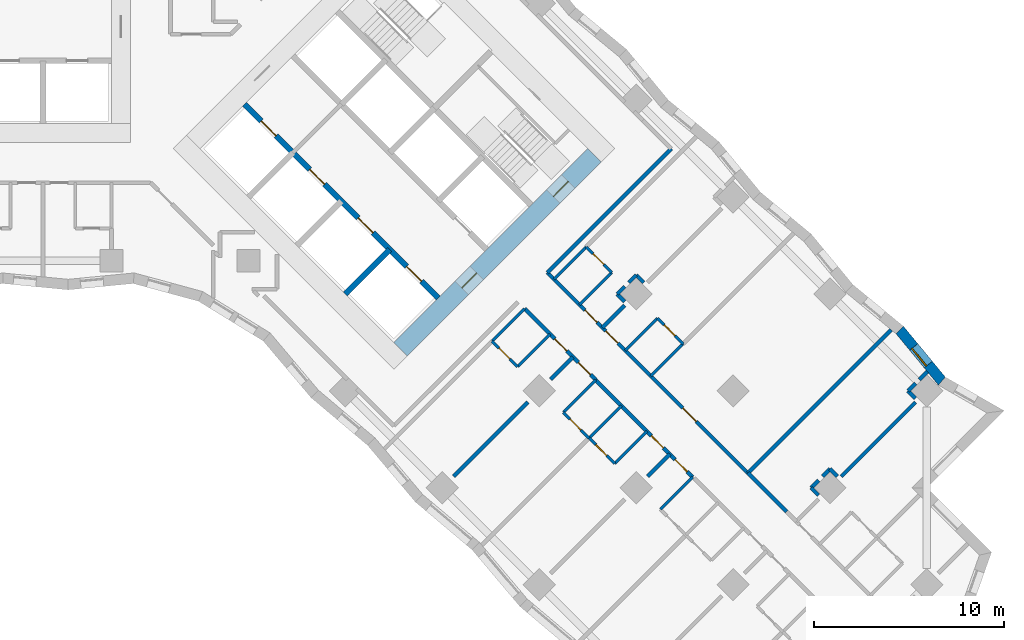
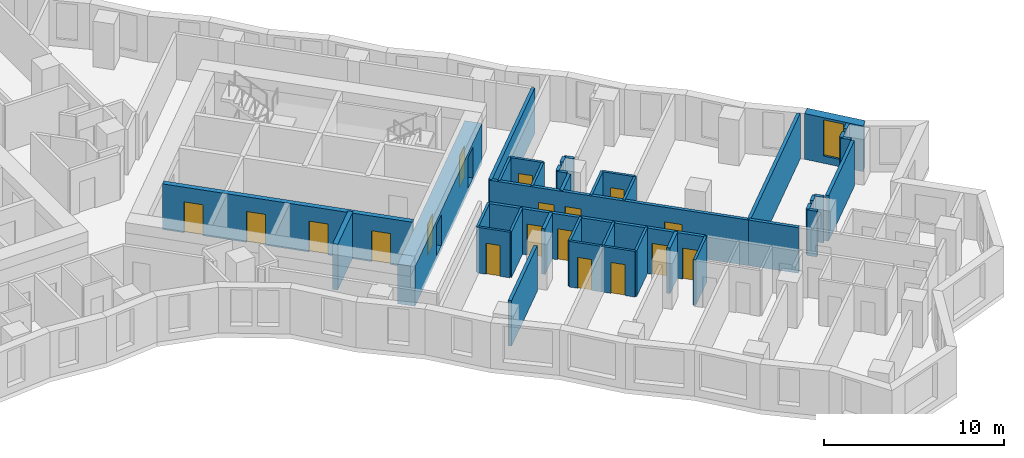
# One storey, part 9 of 13: 41 walls, 18 doors, 1 window, 19 openings.
"""IFC4 building model written with IfcOpenShell, lengths in metres."""

from ifc_helpers import new_model, si_unit, direction, frame, frame_2d, origin, place, context, subcontext, project, spatial, polyline, rectangle, outline, extrude, material, layer, layer_set, type_object, element, fill, save


model = new_model("IFC4")

# Units and contexts
model_context = context("Model", 3, precision=1e-05, world=origin(), true_north=direction((0.0, 1.0)))
body_context = subcontext(model_context, "Body", "Model", "MODEL_VIEW")
ifc_project = project(units=[si_unit("LENGTHUNIT", "METRE"), si_unit("AREAUNIT", "SQUARE_METRE"), si_unit("VOLUMEUNIT", "CUBIC_METRE"), si_unit("PLANEANGLEUNIT", "RADIAN"), si_unit("MASSUNIT", "GRAM", prefix="KILO")], contexts=[model_context])

# Site, building, storey
site_placement = place(None, origin())
site = spatial("IfcSite", under=ifc_project, at=site_placement, CompositionType="ELEMENT")
building_placement = place(site_placement, origin())
building = spatial("IfcBuilding", under=site, at=building_placement, Name="Windrow Commons", CompositionType="ELEMENT")
storey_placement = place(building_placement, frame((0.0, 0.0, 30.4)))
storey = spatial("IfcBuildingStorey", under=building, at=storey_placement, Name="L07", CompositionType="ELEMENT", Elevation=30.4)

# Wall, opening, window
ifc_material_1 = material(Name="Brick masonry, red clay brick", Category="masonry")
ifc_layer_1 = layer(ifc_material_1, 0.55)
ifc_layer_set_1 = layer_set([ifc_layer_1], Name="Brick facade wall 550")
wall_type_1 = type_object("IfcWallType", Name="Brick facade wall 550", PredefinedType="SOLIDWALL", material=ifc_layer_set_1)
wall_1_placement = place(storey_placement, frame((115.6265, 36.8767, 0.0), z_axis=(0.0, 0.0, 1.0), x_axis=(-0.6361415501, 0.7715723739, 0.0)))
wall_1 = element("IfcWall", 1, at=wall_1_placement, inside=storey, type_object=wall_type_1, Name="Brick facade wall L07 8", PredefinedType="SOLIDWALL", context=body_context, shape_type="SweptSolid", body=[
    extrude(outline(polyline([(0.0501, -0.275), (3.4961, -0.275), (3.4432, 0.275), (-0.0501, 0.275), (0.0501, -0.275)])), origin(), (0.0, 0.0, 1.0), 3.1),
])
opening_1_placement = place(wall_1_placement, frame((1.1216, 0.0, 0.5)))
opening_1 = element("IfcOpeningElement", 2, at=opening_1_placement, cuts=wall_1, Name="Opening W7D", PredefinedType="OPENING", context=body_context, shape_type="SweptSolid", body=[
    extrude(rectangle(XDim=1.2, YDim=2.45, at=frame_2d((0.6, 1.225))), frame((0.0, 0.285, 0.0), z_axis=(0.0, -1.0, 0.0), x_axis=(1.0, 0.0, 0.0)), (0.0, 0.0, 1.0), 0.57),
])
ifc_material_2 = material(Name="Clear float glass in anodised aluminium frame", Category="aluminium")
window_type = type_object("IfcWindowType", Name="Window W7 notch 1200x2450", PartitioningType="SINGLE_PANEL", PredefinedType="WINDOW", material=ifc_material_2)
window_placement = place(opening_1_placement, origin())
window = element("IfcWindow", 3, at=window_placement, inside=storey, type_object=window_type, Name="Window L07 8.1", OverallHeight=2.45, OverallWidth=1.2, PartitioningType="SINGLE_PANEL", PredefinedType="WINDOW", context=body_context, shape_type="SweptSolid", body=[
    extrude(rectangle(XDim=1.2, YDim=2.45, at=frame_2d((0.6, 1.225))), frame((0.0, 0.155, 0.0), z_axis=(0.0, -1.0, 0.0), x_axis=(1.0, 0.0, 0.0)), (0.0, 0.0, 1.0), 0.06),
])
fill(opening_1, window)

# Wall, openings, doors
ifc_material_3 = material(Name="Blockwork partition", Category="masonry")
ifc_layer_2 = layer(ifc_material_3, 0.2)
ifc_layer_set_2 = layer_set([ifc_layer_2], Name="IW-CORRIDOR-200")
wall_type_2 = type_object("IfcWallType", Name="IW-CORRIDOR-200", PredefinedType="PARTITIONING", material=ifc_layer_set_2)
wall_2_placement = place(storey_placement, frame((94.8949, 42.5809, 0.0), z_axis=(0.0, 0.0, 1.0), x_axis=(0.7071067812, -0.7071067812, 0.0)))
wall_2 = element("IfcWall", 4, at=wall_2_placement, inside=storey, type_object=wall_type_2, Name="W-L07-W004", PredefinedType="PARTITIONING", context=body_context, shape_type="SweptSolid", body=[
    extrude(rectangle(XDim=14.9002, YDim=0.2, at=frame_2d((7.4501, 0.0))), origin(), (0.0, 0.0, 1.0), 3.1),
])
opening_2_placement = place(wall_2_placement, frame((2.7996, 0.0, 0.0)))
opening_2 = element("IfcOpeningElement", 5, at=opening_2_placement, cuts=wall_2, Name="Opening D109S", PredefinedType="OPENING", context=body_context, shape_type="SweptSolid", body=[
    extrude(rectangle(XDim=0.9, YDim=2.1, at=frame_2d((0.45, 1.05))), frame((0.0, 0.11, 0.0), z_axis=(0.0, -1.0, 0.0), x_axis=(1.0, 0.0, 0.0)), (0.0, 0.0, 1.0), 0.22),
])
opening_3_placement = place(wall_2_placement, frame((4.3479, 0.0, 0.0)))
opening_3 = element("IfcOpeningElement", 6, at=opening_3_placement, cuts=wall_2, Name="Opening D109S", PredefinedType="OPENING", context=body_context, shape_type="SweptSolid", body=[
    extrude(rectangle(XDim=0.9, YDim=2.1, at=frame_2d((0.45, 1.05))), frame((0.0, 0.11, 0.0), z_axis=(0.0, -1.0, 0.0), x_axis=(1.0, 0.0, 0.0)), (0.0, 0.0, 1.0), 0.22),
])
opening_4_placement = place(wall_2_placement, frame((10.0733, 0.0, 0.0)))
opening_4 = element("IfcOpeningElement", 7, at=opening_4_placement, cuts=wall_2, Name="Opening D310F", PredefinedType="OPENING", context=body_context, shape_type="SweptSolid", body=[
    extrude(rectangle(XDim=1.0, YDim=2.1, at=frame_2d((0.5, 1.05))), frame((0.0, 0.11, 0.0), z_axis=(0.0, -1.0, 0.0), x_axis=(1.0, 0.0, 0.0)), (0.0, 0.0, 1.0), 0.22),
])
ifc_material_4 = material(Name="Timber door leaf", Category="wood")
door_type_1 = type_object("IfcDoorType", Name="DT-AMENITY-1000", OperationType="SINGLE_SWING_LEFT", PredefinedType="DOOR", material=ifc_material_4)
door_1_placement = place(opening_4_placement, origin())
door_1 = element("IfcDoor", 8, at=door_1_placement, inside=storey, type_object=door_type_1, Name="D-L07-D054", OperationType="SINGLE_SWING_RIGHT", OverallHeight=2.1, OverallWidth=1.0, PredefinedType="DOOR", context=body_context, shape_type="SweptSolid", body=[
    extrude(rectangle(XDim=1.0, YDim=2.1, at=frame_2d((0.5, 1.05))), frame((0.0, 0.025, 0.0), z_axis=(0.0, -1.0, 0.0), x_axis=(1.0, 0.0, 0.0)), (0.0, 0.0, 1.0), 0.05),
])
fill(opening_4, door_1)
ifc_material_5 = material(Name="Timber door leaf", Category="wood")
door_type_2 = type_object("IfcDoorType", Name="DT-BEDROOM-900", OperationType="SINGLE_SWING_LEFT", PredefinedType="DOOR", material=ifc_material_5)
door_2_placement = place(opening_2_placement, origin())
door_2 = element("IfcDoor", 9, at=door_2_placement, inside=storey, type_object=door_type_2, Name="D-L07-D050", OperationType="SINGLE_SWING_RIGHT", OverallHeight=2.1, OverallWidth=0.9, PredefinedType="DOOR", context=body_context, shape_type="SweptSolid", body=[
    extrude(rectangle(XDim=0.9, YDim=2.1, at=frame_2d((0.45, 1.05))), frame((0.0, 0.025, 0.0), z_axis=(0.0, -1.0, 0.0), x_axis=(1.0, 0.0, 0.0)), (0.0, 0.0, 1.0), 0.05),
])
fill(opening_2, door_2)
door_3_placement = place(opening_3_placement, origin())
door_3 = element("IfcDoor", 10, at=door_3_placement, inside=storey, type_object=door_type_2, Name="D-L07-D052", OperationType="SINGLE_SWING_LEFT", OverallHeight=2.1, OverallWidth=0.9, PredefinedType="DOOR", context=body_context, shape_type="SweptSolid", body=[
    extrude(rectangle(XDim=0.9, YDim=2.1, at=frame_2d((0.45, 1.05))), frame((0.0, 0.025, 0.0), z_axis=(0.0, -1.0, 0.0), x_axis=(1.0, 0.0, 0.0)), (0.0, 0.0, 1.0), 0.05),
])
fill(opening_3, door_3)

# Wall
wall_3_placement = place(storey_placement, frame((94.9014, 42.5826, 0.0), z_axis=(0.0, 0.0, 1.0), x_axis=(0.7072154749, 0.7069980708, 0.0)))
element("IfcWall", 11, at=wall_3_placement, inside=storey, type_object=wall_type_2, Name="W-L07-W010", PredefinedType="PARTITIONING", context=body_context, shape_type="SweptSolid", body=[
    extrude(rectangle(XDim=9.1995, YDim=0.2, at=frame_2d((4.5998, 0.0))), origin(), (0.0, 0.0, 1.0), 3.1),
])

# Wall, openings, doors
wall_4_placement = place(storey_placement, frame((102.5312, 31.8332, 0.0), z_axis=(0.0, 0.0, 1.0), x_axis=(-0.7070095491, 0.7072039999, 0.0)))
wall_4 = element("IfcWall", 12, at=wall_4_placement, inside=storey, type_object=wall_type_2, Name="W-L07-W023", PredefinedType="PARTITIONING", context=body_context, shape_type="SweptSolid", body=[
    extrude(rectangle(XDim=7.1998, YDim=0.2, at=frame_2d((3.5999, 0.0))), origin(), (0.0, 0.0, 1.0), 3.1),
])
opening_5_placement = place(wall_4_placement, frame((2.1649, 0.0, 0.0)))
opening_5 = element("IfcOpeningElement", 13, at=opening_5_placement, cuts=wall_4, Name="Opening D109S", PredefinedType="OPENING", context=body_context, shape_type="SweptSolid", body=[
    extrude(rectangle(XDim=0.9, YDim=2.1, at=frame_2d((0.45, 1.05))), frame((0.0, 0.11, 0.0), z_axis=(0.0, -1.0, 0.0), x_axis=(1.0, 0.0, 0.0)), (0.0, 0.0, 1.0), 0.22),
])
opening_6_placement = place(wall_4_placement, frame((0.3999, 0.0, 0.0)))
opening_6 = element("IfcOpeningElement", 14, at=opening_6_placement, cuts=wall_4, Name="Opening D109S", PredefinedType="OPENING", context=body_context, shape_type="SweptSolid", body=[
    extrude(rectangle(XDim=0.9, YDim=2.1, at=frame_2d((0.45, 1.05))), frame((0.0, 0.11, 0.0), z_axis=(0.0, -1.0, 0.0), x_axis=(1.0, 0.0, 0.0)), (0.0, 0.0, 1.0), 0.22),
])
door_4_placement = place(opening_5_placement, origin())
door_4 = element("IfcDoor", 15, at=door_4_placement, inside=storey, type_object=door_type_2, Name="D-L07-D061", OperationType="SINGLE_SWING_LEFT", OverallHeight=2.1, OverallWidth=0.9, PredefinedType="DOOR", context=body_context, shape_type="SweptSolid", body=[
    extrude(rectangle(XDim=0.9, YDim=2.1, at=frame_2d((0.45, 1.05))), frame((0.0, 0.025, 0.0), z_axis=(0.0, -1.0, 0.0), x_axis=(1.0, 0.0, 0.0)), (0.0, 0.0, 1.0), 0.05),
])
fill(opening_5, door_4)
door_5_placement = place(opening_6_placement, origin())
door_5 = element("IfcDoor", 16, at=door_5_placement, inside=storey, type_object=door_type_2, Name="D-L07-D063", OperationType="SINGLE_SWING_RIGHT", OverallHeight=2.1, OverallWidth=0.9, PredefinedType="DOOR", context=body_context, shape_type="SweptSolid", body=[
    extrude(rectangle(XDim=0.9, YDim=2.1, at=frame_2d((0.45, 1.05))), frame((0.0, 0.025, 0.0), z_axis=(0.0, -1.0, 0.0), x_axis=(1.0, 0.0, 0.0)), (0.0, 0.0, 1.0), 0.05),
])
fill(opening_6, door_5)

wall_5_placement = place(storey_placement, frame((93.6993, 40.6793, 0.0), z_axis=(0.0, 0.0, 1.0), x_axis=(0.7071067812, -0.7071067812, 0.0)))
wall_5 = element("IfcWall", 17, at=wall_5_placement, inside=storey, type_object=wall_type_2, Name="W-L07-W047", PredefinedType="PARTITIONING", context=body_context, shape_type="SweptSolid", body=[
    extrude(rectangle(XDim=5.3005, YDim=0.2, at=frame_2d((2.6503, 0.0))), origin(), (0.0, 0.0, 1.0), 3.1),
])
opening_7_placement = place(wall_5_placement, frame((2.2416, 0.0, 0.0)))
opening_7 = element("IfcOpeningElement", 18, at=opening_7_placement, cuts=wall_5, Name="Opening D109S", PredefinedType="OPENING", context=body_context, shape_type="SweptSolid", body=[
    extrude(rectangle(XDim=0.9, YDim=2.1, at=frame_2d((0.45, 1.05))), frame((0.0, 0.11, 0.0), z_axis=(0.0, -1.0, 0.0), x_axis=(1.0, 0.0, 0.0)), (0.0, 0.0, 1.0), 0.22),
])
opening_8_placement = place(wall_5_placement, frame((4.0017, 0.0, 0.0)))
opening_8 = element("IfcOpeningElement", 19, at=opening_8_placement, cuts=wall_5, Name="Opening D109S", PredefinedType="OPENING", context=body_context, shape_type="SweptSolid", body=[
    extrude(rectangle(XDim=0.9, YDim=2.1, at=frame_2d((0.45, 1.05))), frame((0.0, 0.11, 0.0), z_axis=(0.0, -1.0, 0.0), x_axis=(1.0, 0.0, 0.0)), (0.0, 0.0, 1.0), 0.22),
])
door_6_placement = place(opening_7_placement, origin())
door_6 = element("IfcDoor", 20, at=door_6_placement, inside=storey, type_object=door_type_2, Name="D-L07-D057", OperationType="SINGLE_SWING_LEFT", OverallHeight=2.1, OverallWidth=0.9, PredefinedType="DOOR", context=body_context, shape_type="SweptSolid", body=[
    extrude(rectangle(XDim=0.9, YDim=2.1, at=frame_2d((0.45, 1.05))), frame((0.0, 0.025, 0.0), z_axis=(0.0, -1.0, 0.0), x_axis=(1.0, 0.0, 0.0)), (0.0, 0.0, 1.0), 0.05),
])
fill(opening_7, door_6)
door_7_placement = place(opening_8_placement, origin())
door_7 = element("IfcDoor", 21, at=door_7_placement, inside=storey, type_object=door_type_2, Name="D-L07-D059", OperationType="SINGLE_SWING_RIGHT", OverallHeight=2.1, OverallWidth=0.9, PredefinedType="DOOR", context=body_context, shape_type="SweptSolid", body=[
    extrude(rectangle(XDim=0.9, YDim=2.1, at=frame_2d((0.45, 1.05))), frame((0.0, 0.025, 0.0), z_axis=(0.0, -1.0, 0.0), x_axis=(1.0, 0.0, 0.0)), (0.0, 0.0, 1.0), 0.05),
])
fill(opening_8, door_7)

# Walls
wall_6_placement = place(storey_placement, frame((105.4348, 32.0488, 0.0), z_axis=(0.0, 0.0, 1.0), x_axis=(0.7074545101, -0.7067588812, 0.0)))
element("IfcWall", 22, at=wall_6_placement, inside=storey, type_object=wall_type_2, Name="W-L07-W071", PredefinedType="PARTITIONING", context=body_context, shape_type="SweptSolid", body=[
    extrude(rectangle(XDim=2.8751, YDim=0.2, at=frame_2d((1.4376, 0.0))), origin(), (0.0, 0.0, 1.0), 3.1),
])
ifc_material_6 = material(Name="Blockwork partition", Category="masonry")
ifc_layer_3 = layer(ifc_material_6, 0.15)
ifc_layer_set_3 = layer_set([ifc_layer_3], Name="IW-ENSUITE-150")
wall_type_3 = type_object("IfcWallType", Name="IW-ENSUITE-150", PredefinedType="PARTITIONING", material=ifc_layer_set_3)
for number, where, z_axis, x_axis, name in (
    (23, (93.3409, 37.6351, 0.0), (0.0, 0.0, 1.0), (0.7071067812, 0.7071067812, 0.0), "W-L07-W078"),
    (24, (95.7451, 35.2309, 0.0), (0.0, 0.0, 1.0), (0.7071067812, 0.7071067812, 0.0), "W-L07-W079"),
    (25, (91.9974, 38.9786, 0.0), (0.0, 0.0, 1.0), (0.7071067812, 0.7071067812, 0.0), "W-L07-W082"),
):
    element("IfcWall", number, at=place(storey_placement, frame(where, z_axis=z_axis, x_axis=x_axis)), inside=storey, type_object=wall_type_3, Name=name, PredefinedType="PARTITIONING", context=body_context, shape_type="SweptSolid", body=[
        extrude(rectangle(XDim=2.4013, YDim=0.15, at=frame_2d((1.2006, 0.0))), origin(), (0.0, 0.0, 1.0), 3.1),
    ])
for number, where, z_axis, x_axis, name in (
    (26, (100.3397, 37.1423, 0.0), (0.0, 0.0, 1.0), (0.7075233388, 0.706689978, 0.0), "W-L07-W115"),
    (27, (96.592, 40.89, 0.0), (0.0, 0.0, 1.0), (0.7075233388, 0.706689978, 0.0), "W-L07-W116"),
    (28, (98.9962, 38.4858, 0.0), (0.0, 0.0, 1.0), (0.7075233388, 0.706689978, 0.0), "W-L07-W117"),
    (29, (95.2524, 42.2296, 0.0), (0.0, 0.0, 1.0), (0.706689978, 0.7075233388, 0.0), "W-L07-W120"),
    (30, (97.0924, 33.8836, 0.0), (0.0, 0.0, 1.0), (0.706689978, 0.7075233388, 0.0), "W-L07-W121"),
):
    element("IfcWall", number, at=place(storey_placement, frame(where, z_axis=z_axis, x_axis=x_axis)), inside=storey, type_object=wall_type_3, Name=name, PredefinedType="PARTITIONING", context=body_context, shape_type="SweptSolid", body=[
        extrude(rectangle(XDim=2.3999, YDim=0.15, at=frame_2d((1.2, 0.0))), origin(), (0.0, 0.0, 1.0), 3.1),
    ])
for number, where, z_axis, x_axis, name in (
    (31, (100.8373, 30.1407, 0.0), (0.0, 0.0, 1.0), (0.7071067812, 0.7071067812, 0.0), "W-L07-W123"),
    (32, (98.4331, 32.5449, 0.0), (0.0, 0.0, 1.0), (0.7071067812, 0.7071067812, 0.0), "W-L07-W125"),
):
    element("IfcWall", number, at=place(storey_placement, frame(where, z_axis=z_axis, x_axis=x_axis)), inside=storey, type_object=wall_type_3, Name=name, PredefinedType="PARTITIONING", context=body_context, shape_type="SweptSolid", body=[
        extrude(rectangle(XDim=2.3985, YDim=0.15, at=frame_2d((1.1992, 0.0))), origin(), (0.0, 0.0, 1.0), 3.1),
    ])

# Wall, opening, door
wall_7_placement = place(storey_placement, frame((96.9449, 43.9249, 0.0), z_axis=(0.0, 0.0, 1.0), x_axis=(0.7071067812, -0.7071067812, 0.0)))
wall_7 = element("IfcWall", 33, at=wall_7_placement, inside=storey, type_object=wall_type_3, Name="W-L07-W134", PredefinedType="PARTITIONING", context=body_context, shape_type="SweptSolid", body=[
    extrude(rectangle(XDim=1.9007, YDim=0.15, at=frame_2d((0.9504, 0.0))), origin(), (0.0, 0.0, 1.0), 3.1),
])
opening_9_placement = place(wall_7_placement, frame((0.5053, 0.0, 0.0)))
opening_9 = element("IfcOpeningElement", 34, at=opening_9_placement, cuts=wall_7, Name="Opening D208N", PredefinedType="OPENING", context=body_context, shape_type="SweptSolid", body=[
    extrude(rectangle(XDim=0.8, YDim=2.1, at=frame_2d((0.4, 1.05))), frame((0.0, 0.085, 0.0), z_axis=(0.0, -1.0, 0.0), x_axis=(1.0, 0.0, 0.0)), (0.0, 0.0, 1.0), 0.17),
])
ifc_material_7 = material(Name="Timber door leaf", Category="wood")
door_type_3 = type_object("IfcDoorType", Name="DT-ENSUITE-800", OperationType="SINGLE_SWING_LEFT", PredefinedType="DOOR", material=ifc_material_7)
door_8_placement = place(opening_9_placement, origin())
door_8 = element("IfcDoor", 35, at=door_8_placement, inside=storey, type_object=door_type_3, Name="D-L07-D051", OperationType="SINGLE_SWING_RIGHT", OverallHeight=2.1, OverallWidth=0.8, PredefinedType="DOOR", context=body_context, shape_type="SweptSolid", body=[
    extrude(rectangle(XDim=0.8, YDim=2.1, at=frame_2d((0.4, 1.05))), frame((0.0, 0.025, 0.0), z_axis=(0.0, -1.0, 0.0), x_axis=(1.0, 0.0, 0.0)), (0.0, 0.0, 1.0), 0.05),
])
fill(opening_9, door_8)

wall_8_placement = place(storey_placement, frame((100.6929, 40.1769, 0.0), z_axis=(0.0, 0.0, 1.0), x_axis=(0.7071067812, -0.7071067812, 0.0)))
wall_8 = element("IfcWall", 36, at=wall_8_placement, inside=storey, type_object=wall_type_3, Name="W-L07-W135", PredefinedType="PARTITIONING", context=body_context, shape_type="SweptSolid", body=[
    extrude(rectangle(XDim=1.9007, YDim=0.15, at=frame_2d((0.9504, 0.0))), origin(), (0.0, 0.0, 1.0), 3.1),
])
opening_10_placement = place(wall_8_placement, frame((0.493, 0.0, 0.0)))
opening_10 = element("IfcOpeningElement", 37, at=opening_10_placement, cuts=wall_8, Name="Opening D208N", PredefinedType="OPENING", context=body_context, shape_type="SweptSolid", body=[
    extrude(rectangle(XDim=0.8, YDim=2.1, at=frame_2d((0.4, 1.05))), frame((0.0, 0.085, 0.0), z_axis=(0.0, -1.0, 0.0), x_axis=(1.0, 0.0, 0.0)), (0.0, 0.0, 1.0), 0.17),
])
door_9_placement = place(opening_10_placement, origin())
door_9 = element("IfcDoor", 38, at=door_9_placement, inside=storey, type_object=door_type_3, Name="D-L07-D053", OperationType="SINGLE_SWING_RIGHT", OverallHeight=2.1, OverallWidth=0.8, PredefinedType="DOOR", context=body_context, shape_type="SweptSolid", body=[
    extrude(rectangle(XDim=0.8, YDim=2.1, at=frame_2d((0.4, 1.05))), frame((0.0, 0.025, 0.0), z_axis=(0.0, -1.0, 0.0), x_axis=(1.0, 0.0, 0.0)), (0.0, 0.0, 1.0), 0.05),
])
fill(opening_10, door_9)

wall_9_placement = place(storey_placement, frame((95.7432, 35.2272, 0.0), z_axis=(0.0, 0.0, 1.0), x_axis=(0.7071067812, -0.7071067812, 0.0)))
wall_9 = element("IfcWall", 39, at=wall_9_placement, inside=storey, type_object=wall_type_3, Name="W-L07-W137", PredefinedType="PARTITIONING", context=body_context, shape_type="SweptSolid", body=[
    extrude(rectangle(XDim=1.9007, YDim=0.15, at=frame_2d((0.9504, 0.0))), origin(), (0.0, 0.0, 1.0), 3.1),
])
opening_11_placement = place(wall_9_placement, frame((0.4911, 0.0, 0.0)))
opening_11 = element("IfcOpeningElement", 40, at=opening_11_placement, cuts=wall_9, Name="Opening D208N", PredefinedType="OPENING", context=body_context, shape_type="SweptSolid", body=[
    extrude(rectangle(XDim=0.8, YDim=2.1, at=frame_2d((0.4, 1.05))), frame((0.0, 0.085, 0.0), z_axis=(0.0, -1.0, 0.0), x_axis=(1.0, 0.0, 0.0)), (0.0, 0.0, 1.0), 0.17),
])
door_10_placement = place(opening_11_placement, origin())
door_10 = element("IfcDoor", 41, at=door_10_placement, inside=storey, type_object=door_type_3, Name="D-L07-D060", OperationType="SINGLE_SWING_RIGHT", OverallHeight=2.1, OverallWidth=0.8, PredefinedType="DOOR", context=body_context, shape_type="SweptSolid", body=[
    extrude(rectangle(XDim=0.8, YDim=2.1, at=frame_2d((0.4, 1.05))), frame((0.0, 0.025, 0.0), z_axis=(0.0, -1.0, 0.0), x_axis=(1.0, 0.0, 0.0)), (0.0, 0.0, 1.0), 0.05),
])
fill(opening_11, door_10)

wall_10_placement = place(storey_placement, frame((91.9952, 38.9752, 0.0), z_axis=(0.0, 0.0, 1.0), x_axis=(0.7071067812, -0.7071067812, 0.0)))
wall_10 = element("IfcWall", 42, at=wall_10_placement, inside=storey, type_object=wall_type_3, Name="W-L07-W138", PredefinedType="PARTITIONING", context=body_context, shape_type="SweptSolid", body=[
    extrude(rectangle(XDim=1.9007, YDim=0.15, at=frame_2d((0.9504, 0.0))), origin(), (0.0, 0.0, 1.0), 3.1),
])
opening_12_placement = place(wall_10_placement, frame((0.5226, 0.0, 0.0)))
opening_12 = element("IfcOpeningElement", 43, at=opening_12_placement, cuts=wall_10, Name="Opening D208N", PredefinedType="OPENING", context=body_context, shape_type="SweptSolid", body=[
    extrude(rectangle(XDim=0.8, YDim=2.1, at=frame_2d((0.4, 1.05))), frame((0.0, 0.085, 0.0), z_axis=(0.0, -1.0, 0.0), x_axis=(1.0, 0.0, 0.0)), (0.0, 0.0, 1.0), 0.17),
])
door_11_placement = place(opening_12_placement, origin())
door_11 = element("IfcDoor", 44, at=door_11_placement, inside=storey, type_object=door_type_3, Name="D-L07-D058", OperationType="SINGLE_SWING_RIGHT", OverallHeight=2.1, OverallWidth=0.8, PredefinedType="DOOR", context=body_context, shape_type="SweptSolid", body=[
    extrude(rectangle(XDim=0.8, YDim=2.1, at=frame_2d((0.4, 1.05))), frame((0.0, 0.025, 0.0), z_axis=(0.0, -1.0, 0.0), x_axis=(1.0, 0.0, 0.0)), (0.0, 0.0, 1.0), 0.05),
])
fill(opening_12, door_11)

wall_11_placement = place(storey_placement, frame((97.0895, 33.8855, 0.0), z_axis=(0.0, 0.0, 1.0), x_axis=(0.7076330979, -0.7065800724, 0.0)))
wall_11 = element("IfcWall", 45, at=wall_11_placement, inside=storey, type_object=wall_type_3, Name="W-L07-W156", PredefinedType="PARTITIONING", context=body_context, shape_type="SweptSolid", body=[
    extrude(rectangle(XDim=1.8993, YDim=0.15, at=frame_2d((0.9496, 0.0))), origin(), (0.0, 0.0, 1.0), 3.1),
])
opening_13_placement = place(wall_11_placement, frame((0.5045, 0.0, 0.0)))
opening_13 = element("IfcOpeningElement", 46, at=opening_13_placement, cuts=wall_11, Name="Opening D208N", PredefinedType="OPENING", context=body_context, shape_type="SweptSolid", body=[
    extrude(rectangle(XDim=0.8, YDim=2.1, at=frame_2d((0.4, 1.05))), frame((0.0, 0.085, 0.0), z_axis=(0.0, -1.0, 0.0), x_axis=(1.0, 0.0, 0.0)), (0.0, 0.0, 1.0), 0.17),
])
door_12_placement = place(opening_13_placement, origin())
door_12 = element("IfcDoor", 47, at=door_12_placement, inside=storey, type_object=door_type_3, Name="D-L07-D062", OperationType="SINGLE_SWING_RIGHT", OverallHeight=2.1, OverallWidth=0.8, PredefinedType="DOOR", context=body_context, shape_type="SweptSolid", body=[
    extrude(rectangle(XDim=0.8, YDim=2.1, at=frame_2d((0.4, 1.05))), frame((0.0, 0.025, 0.0), z_axis=(0.0, -1.0, 0.0), x_axis=(1.0, 0.0, 0.0)), (0.0, 0.0, 1.0), 0.05),
])
fill(opening_13, door_12)

# Walls
ifc_material_8 = material(Name="Blockwork partition", Category="masonry")
ifc_layer_4 = layer(ifc_material_8, 0.2)
ifc_layer_set_4 = layer_set([ifc_layer_4], Name="IW-PARTY-200")
wall_type_4 = type_object("IfcWallType", Name="IW-PARTY-200", PredefinedType="PARTITIONING", material=ifc_layer_set_4)
wall_12_placement = place(storey_placement, frame((105.4374, 32.0446, 0.0), z_axis=(0.0, 0.0, 1.0), x_axis=(0.7070175341, 0.707196017, 0.0)))
element("IfcWall", 48, at=wall_12_placement, inside=storey, type_object=wall_type_4, Name="W-L07-W007", PredefinedType="PARTITIONING", context=body_context, shape_type="SweptSolid", body=[
    extrude(rectangle(XDim=10.6453, YDim=0.2, at=frame_2d((5.3227, 0.0))), origin(), (0.0, 0.0, 1.0), 3.1),
])
for number, where, z_axis, x_axis, name in (
    (49, (89.981, 31.871, 0.0), (0.0, 0.0, 1.0), (0.7071067812, 0.7071067812, 0.0), "W-L07-W042"),
    (50, (110.3454, 31.8706, 0.0), (0.0, 0.0, 1.0), (0.7071067812, 0.7071067812, 0.0), "W-L07-W043"),
):
    element("IfcWall", number, at=place(storey_placement, frame(where, z_axis=z_axis, x_axis=x_axis)), inside=storey, type_object=wall_type_4, Name=name, PredefinedType="PARTITIONING", context=body_context, shape_type="SweptSolid", body=[
        extrude(rectangle(XDim=5.5041, YDim=0.2, at=frame_2d((2.7521, 0.0))), origin(), (0.0, 0.0, 1.0), 3.1),
    ])
for number, where, z_axis, x_axis, name in (
    (51, (100.1632, 31.8708, 0.0), (0.0, 0.0, 1.0), (0.7071067812, 0.7071067812, 0.0), "W-L07-W167"),
    (52, (97.796, 39.686, 0.0), (0.0, 0.0, 1.0), (0.7071067812, 0.7071067812, 0.0), "W-L07-W170"),
    (53, (95.073, 36.963, 0.0), (0.0, 0.0, 1.0), (0.7071067812, 0.7071067812, 0.0), "W-L07-W171"),
):
    element("IfcWall", number, at=place(storey_placement, frame(where, z_axis=z_axis, x_axis=x_axis)), inside=storey, type_object=wall_type_4, Name=name, PredefinedType="PARTITIONING", context=body_context, shape_type="SweptSolid", body=[
        extrude(rectangle(XDim=1.6518, YDim=0.2, at=frame_2d((0.8259, 0.0))), origin(), (0.0, 0.0, 1.0), 3.1),
    ])
for number, where, z_axis, x_axis, name in (
    (54, (113.8434, 36.3586, 0.0), (0.0, 0.0, 1.0), (0.7071067812, 0.7071067812, 0.0), "W-L07-W196"),
    (55, (108.7536, 31.2676, 0.0), (0.0, 0.0, 1.0), (0.7071067812, -0.7071067812, 0.0), "W-L07-W197"),
    (56, (109.7507, 32.2647, 0.0), (0.0, 0.0, 1.0), (0.7071067812, -0.7071067812, 0.0), "W-L07-W198"),
    (57, (109.3554, 31.8706, 0.0), (0.0, 0.0, 1.0), (0.7071067812, 0.7071067812, 0.0), "W-L07-W199"),
    (58, (108.7534, 31.2686, 0.0), (0.0, 0.0, 1.0), (0.7071067812, 0.7071067812, 0.0), "W-L07-W200"),
):
    element("IfcWall", number, at=place(storey_placement, frame(where, z_axis=z_axis, x_axis=x_axis)), inside=storey, type_object=wall_type_4, Name=name, PredefinedType="PARTITIONING", context=body_context, shape_type="SweptSolid", body=[
        extrude(rectangle(XDim=0.5572, YDim=0.2, at=frame_2d((0.2786, 0.0))), origin(), (0.0, 0.0, 1.0), 3.1),
    ])
for number, where, z_axis, x_axis, name in (
    (59, (98.5699, 41.4479, 0.0), (0.0, 0.0, 1.0), (0.705305244, -0.7089037401, 0.0), "W-L07-W202"),
    (60, (99.5708, 42.4489, 0.0), (0.0, 0.0, 1.0), (0.7089037401, -0.705305244, 0.0), "W-L07-W203"),
    (61, (113.8446, 36.3586, 0.0), (0.0, 0.0, 1.0), (0.7089037401, -0.705305244, 0.0), "W-L07-W205"),
):
    element("IfcWall", number, at=place(storey_placement, frame(where, z_axis=z_axis, x_axis=x_axis)), inside=storey, type_object=wall_type_4, Name=name, PredefinedType="PARTITIONING", context=body_context, shape_type="SweptSolid", body=[
        extrude(rectangle(XDim=0.5558, YDim=0.2, at=frame_2d((0.2779, 0.0))), origin(), (0.0, 0.0, 1.0), 3.1),
    ])
for number, where, z_axis, x_axis, name in (
    (62, (98.571, 41.451, 0.0), (0.0, 0.0, 1.0), (0.7071067812, 0.7071067812, 0.0), "W-L07-W206"),
    (63, (99.175, 42.055, 0.0), (0.0, 0.0, 1.0), (0.7071067812, 0.7071067812, 0.0), "W-L07-W207"),
):
    element("IfcWall", number, at=place(storey_placement, frame(where, z_axis=z_axis, x_axis=x_axis)), inside=storey, type_object=wall_type_4, Name=name, PredefinedType="PARTITIONING", context=body_context, shape_type="SweptSolid", body=[
        extrude(rectangle(XDim=0.5544, YDim=0.2, at=frame_2d((0.2772, 0.0))), origin(), (0.0, 0.0, 1.0), 3.1),
    ])
wall_13_placement = place(storey_placement, frame((114.4474, 36.9626, 0.0), z_axis=(0.0, 0.0, 1.0), x_axis=(0.7071067812, 0.7071067812, 0.0)))
element("IfcWall", 64, at=wall_13_placement, inside=storey, type_object=wall_type_4, Name="W-L07-W208", PredefinedType="PARTITIONING", context=body_context, shape_type="SweptSolid", body=[
    extrude(rectangle(XDim=0.5828, YDim=0.2, at=frame_2d((0.2914, 0.0))), origin(), (0.0, 0.0, 1.0), 3.1),
])

# Wall, openings, doors
ifc_material_9 = material(Name="Concrete C60/75", Category="concrete")
ifc_layer_5 = layer(ifc_material_9, 1.0)
ifc_layer_set_5 = layer_set([ifc_layer_5], Name="RC CORE WALL 1000 C60/75")
wall_type_5 = type_object("IfcWallType", Name="RC CORE WALL 1000 C60/75", PredefinedType="SHEAR", material=ifc_layer_set_5)
wall_14_placement = place(storey_placement, frame((87.1903, 38.5538, -0.3), z_axis=(0.0, 0.0, 1.0), x_axis=(0.707103309, 0.7071102534, 0.0)))
wall_14 = element("IfcWall", 65, at=wall_14_placement, inside=storey, type_object=wall_type_5, Name="Core B wall outer-E", PredefinedType="SHEAR", context=body_context, shape_type="SweptSolid", body=[
    extrude(rectangle(XDim=14.4, YDim=1.0, at=frame_2d((7.2, 0.0))), origin(), (0.0, 0.0, 1.0), 2.7),
])
opening_14_placement = place(wall_14_placement, frame((4.55, 0.0, 0.3)))
opening_14 = element("IfcOpeningElement", 66, at=opening_14_placement, cuts=wall_14, Name="Opening D6", PredefinedType="OPENING", context=body_context, shape_type="SweptSolid", body=[
    extrude(rectangle(XDim=1.1, YDim=2.1, at=frame_2d((0.55, 1.05))), frame((0.0, 0.51, 0.0), z_axis=(0.0, -1.0, 0.0), x_axis=(1.0, 0.0, 0.0)), (0.0, 0.0, 1.0), 1.02),
])
opening_15_placement = place(wall_14_placement, frame((11.35, 0.0, 0.3)))
opening_15 = element("IfcOpeningElement", 67, at=opening_15_placement, cuts=wall_14, Name="Opening D7", PredefinedType="OPENING", context=body_context, shape_type="SweptSolid", body=[
    extrude(rectangle(XDim=1.1, YDim=2.1, at=frame_2d((0.55, 1.05))), frame((0.0, 0.51, 0.0), z_axis=(0.0, -1.0, 0.0), x_axis=(1.0, 0.0, 0.0)), (0.0, 0.0, 1.0), 1.02),
])
ifc_material_10 = material(Name="Steel fire door leaf", Category="steel")
door_type_4 = type_object("IfcDoorType", Name="Core lobby door 1100", OperationType="SINGLE_SWING_LEFT", PredefinedType="DOOR", material=ifc_material_10)
door_13_placement = place(opening_14_placement, origin())
door_13 = element("IfcDoor", 68, at=door_13_placement, inside=storey, type_object=door_type_4, Name="Lift lobby door", OperationType="DOUBLE_DOOR_SINGLE_SWING", OverallHeight=2.1, OverallWidth=1.1, PredefinedType="DOOR", context=body_context, shape_type="SweptSolid", body=[
    extrude(rectangle(XDim=1.1, YDim=2.1, at=frame_2d((0.55, 1.05))), frame((0.0, 0.025, 0.0), z_axis=(0.0, -1.0, 0.0), x_axis=(1.0, 0.0, 0.0)), (0.0, 0.0, 1.0), 0.05),
])
fill(opening_14, door_13)
ifc_material_11 = material(Name="Steel fire door leaf", Category="steel")
door_type_5 = type_object("IfcDoorType", Name="Stair door 1100", OperationType="SINGLE_SWING_LEFT", PredefinedType="DOOR", material=ifc_material_11)
door_14_placement = place(opening_15_placement, origin())
door_14 = element("IfcDoor", 69, at=door_14_placement, inside=storey, type_object=door_type_5, Name="Stair door", OperationType="SINGLE_SWING_RIGHT", OverallHeight=2.1, OverallWidth=1.1, PredefinedType="DOOR", context=body_context, shape_type="SweptSolid", body=[
    extrude(rectangle(XDim=1.1, YDim=2.1, at=frame_2d((0.55, 1.05))), frame((0.0, 0.025, 0.0), z_axis=(0.0, -1.0, 0.0), x_axis=(1.0, 0.0, 0.0)), (0.0, 0.0, 1.0), 0.05),
])
fill(opening_15, door_14)

# Wall
ifc_material_12 = material(Name="Concrete C60/75", Category="concrete")
ifc_layer_6 = layer(ifc_material_12, 0.3)
ifc_layer_set_6 = layer_set([ifc_layer_6], Name="RC SHAFT WALL 300 C60/75")
wall_type_6 = type_object("IfcWallType", Name="RC SHAFT WALL 300 C60/75", PredefinedType="SOLIDWALL", material=ifc_layer_set_6)
wall_15_placement = place(storey_placement, frame((84.2912, 41.453, 0.0), z_axis=(0.0, 0.0, 1.0), x_axis=(0.7071067812, 0.7071067812, 0.0)))
element("IfcWall", 70, at=wall_15_placement, inside=storey, type_object=wall_type_6, Name="Core B wall shaft-S3", PredefinedType="SOLIDWALL", context=body_context, shape_type="SweptSolid", body=[
    extrude(rectangle(XDim=3.2999, YDim=0.3, at=frame_2d((1.65, 0.0))), origin(), (0.0, 0.0, 1.0), 3.1),
])

# Wall, openings, doors
wall_16_placement = place(storey_placement, frame((78.9879, 51.4232, 0.0), z_axis=(0.0, 0.0, 1.0), x_axis=(0.7071067812, -0.7071067812, 0.0)))
wall_16 = element("IfcWall", 71, at=wall_16_placement, inside=storey, type_object=wall_type_6, Name="Core B wall lobby-S", PredefinedType="SOLIDWALL", context=body_context, shape_type="SweptSolid", body=[
    extrude(rectangle(XDim=14.3999, YDim=0.3, at=frame_2d((7.2, 0.0))), origin(), (0.0, 0.0, 1.0), 3.1),
])
opening_16_placement = place(wall_16_placement, frame((1.25, 0.0, 0.0)))
opening_16 = element("IfcOpeningElement", 72, at=opening_16_placement, cuts=wall_16, Name="Opening LD", PredefinedType="OPENING", context=body_context, shape_type="SweptSolid", body=[
    extrude(rectangle(XDim=1.1, YDim=2.1, at=frame_2d((0.55, 1.05))), frame((0.0, 0.16, 0.0), z_axis=(0.0, -1.0, 0.0), x_axis=(1.0, 0.0, 0.0)), (0.0, 0.0, 1.0), 0.32),
])
opening_17_placement = place(wall_16_placement, frame((4.85, 0.0, 0.0)))
opening_17 = element("IfcOpeningElement", 73, at=opening_17_placement, cuts=wall_16, Name="Opening LD", PredefinedType="OPENING", context=body_context, shape_type="SweptSolid", body=[
    extrude(rectangle(XDim=1.1, YDim=2.1, at=frame_2d((0.55, 1.05))), frame((0.0, 0.16, 0.0), z_axis=(0.0, -1.0, 0.0), x_axis=(1.0, 0.0, 0.0)), (0.0, 0.0, 1.0), 0.32),
])
opening_18_placement = place(wall_16_placement, frame((8.45, 0.0, 0.0)))
opening_18 = element("IfcOpeningElement", 74, at=opening_18_placement, cuts=wall_16, Name="Opening LD", PredefinedType="OPENING", context=body_context, shape_type="SweptSolid", body=[
    extrude(rectangle(XDim=1.1, YDim=2.1, at=frame_2d((0.55, 1.05))), frame((0.0, 0.16, 0.0), z_axis=(0.0, -1.0, 0.0), x_axis=(1.0, 0.0, 0.0)), (0.0, 0.0, 1.0), 0.32),
])
opening_19_placement = place(wall_16_placement, frame((12.05, 0.0, 0.0)))
opening_19 = element("IfcOpeningElement", 75, at=opening_19_placement, cuts=wall_16, Name="Opening LD", PredefinedType="OPENING", context=body_context, shape_type="SweptSolid", body=[
    extrude(rectangle(XDim=1.1, YDim=2.1, at=frame_2d((0.55, 1.05))), frame((0.0, 0.16, 0.0), z_axis=(0.0, -1.0, 0.0), x_axis=(1.0, 0.0, 0.0)), (0.0, 0.0, 1.0), 0.32),
])
ifc_material_13 = material(Name="Stainless steel door leaf", Category="steel")
door_type_6 = type_object("IfcDoorType", Name="Lift landing door 1100", OperationType="SLIDING_TO_LEFT", PredefinedType="DOOR", material=ifc_material_13)
door_15_placement = place(opening_16_placement, origin())
door_15 = element("IfcDoor", 76, at=door_15_placement, inside=storey, type_object=door_type_6, Name="Lift landing door", OperationType="SLIDING_TO_LEFT", OverallHeight=2.1, OverallWidth=1.1, PredefinedType="DOOR", context=body_context, shape_type="SweptSolid", body=[
    extrude(rectangle(XDim=1.1, YDim=2.1, at=frame_2d((0.55, 1.05))), frame((0.0, 0.025, 0.0), z_axis=(0.0, -1.0, 0.0), x_axis=(1.0, 0.0, 0.0)), (0.0, 0.0, 1.0), 0.05),
])
fill(opening_16, door_15)
door_16_placement = place(opening_17_placement, origin())
door_16 = element("IfcDoor", 77, at=door_16_placement, inside=storey, type_object=door_type_6, Name="Lift landing door", OperationType="SLIDING_TO_RIGHT", OverallHeight=2.1, OverallWidth=1.1, PredefinedType="DOOR", context=body_context, shape_type="SweptSolid", body=[
    extrude(rectangle(XDim=1.1, YDim=2.1, at=frame_2d((0.55, 1.05))), frame((0.0, 0.025, 0.0), z_axis=(0.0, -1.0, 0.0), x_axis=(1.0, 0.0, 0.0)), (0.0, 0.0, 1.0), 0.05),
])
fill(opening_17, door_16)
door_17_placement = place(opening_18_placement, origin())
door_17 = element("IfcDoor", 78, at=door_17_placement, inside=storey, type_object=door_type_6, Name="Lift landing door", OperationType="SLIDING_TO_LEFT", OverallHeight=2.1, OverallWidth=1.1, PredefinedType="DOOR", context=body_context, shape_type="SweptSolid", body=[
    extrude(rectangle(XDim=1.1, YDim=2.1, at=frame_2d((0.55, 1.05))), frame((0.0, 0.025, 0.0), z_axis=(0.0, -1.0, 0.0), x_axis=(1.0, 0.0, 0.0)), (0.0, 0.0, 1.0), 0.05),
])
fill(opening_18, door_17)
door_18_placement = place(opening_19_placement, origin())
door_18 = element("IfcDoor", 79, at=door_18_placement, inside=storey, type_object=door_type_6, Name="Lift landing door", OperationType="SLIDING_TO_RIGHT", OverallHeight=2.1, OverallWidth=1.1, PredefinedType="DOOR", context=body_context, shape_type="SweptSolid", body=[
    extrude(rectangle(XDim=1.1, YDim=2.1, at=frame_2d((0.55, 1.05))), frame((0.0, 0.025, 0.0), z_axis=(0.0, -1.0, 0.0), x_axis=(1.0, 0.0, 0.0)), (0.0, 0.0, 1.0), 0.05),
])
fill(opening_19, door_18)

save(model, "model.ifc")
